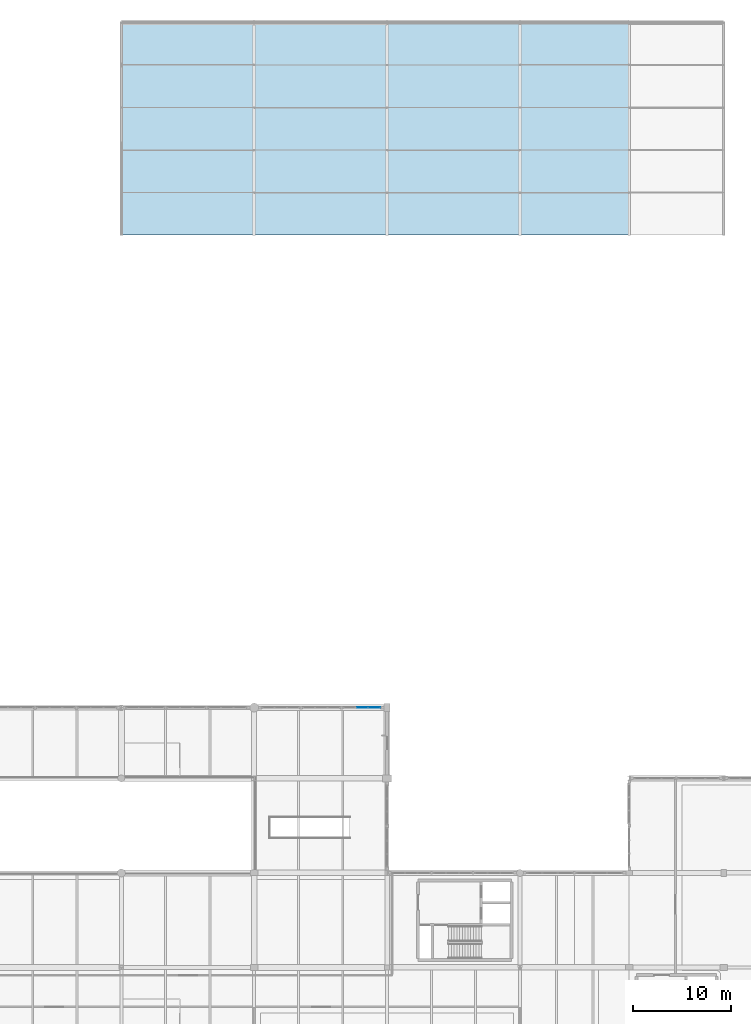
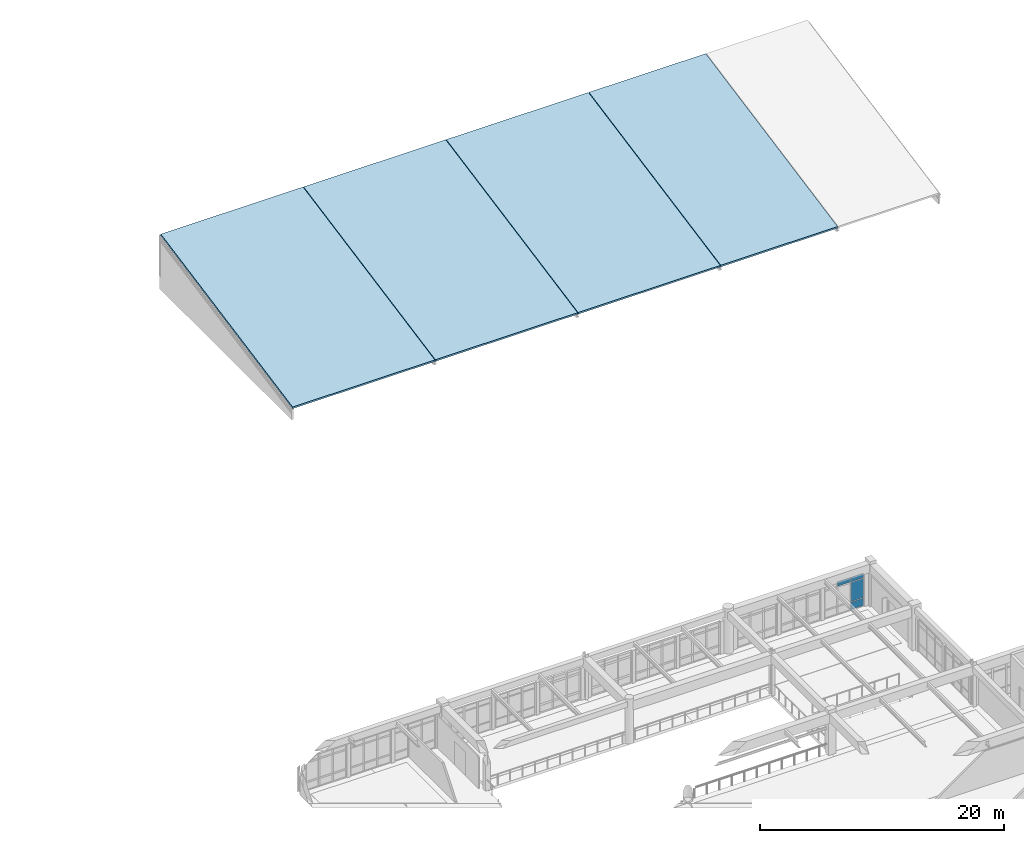
# One storey, part 56 of 80: 4 plates, 4 slabs, 5 elements without a shape of their own.
"""IFC4 building model written with IfcOpenShell, lengths in metres."""

from ifc_helpers import new_model, si_unit, direction, frame, origin, origin_2d, place, context, subcontext, project, spatial, polyline, rectangle, outline, extrude, material, layer, layer_set, type_object, element, aggregate, save


model = new_model("IFC4")

# Units and contexts
model_context = context("Model", 3, precision=1e-05, world=origin(), true_north=direction((0.0, 1.0)))
body_context = subcontext(model_context, "Body", "Model", "MODEL_VIEW")
ifc_project = project(units=[si_unit("LENGTHUNIT", "METRE"), si_unit("AREAUNIT", "SQUARE_METRE"), si_unit("VOLUMEUNIT", "CUBIC_METRE"), si_unit("PLANEANGLEUNIT", "RADIAN"), si_unit("MASSUNIT", "GRAM", prefix="KILO")], contexts=[model_context])

# Site, building, storey
site_placement = place(None, origin())
site = spatial("IfcSite", under=ifc_project, at=site_placement, CompositionType="ELEMENT")
building_placement = place(site_placement, origin())
building = spatial("IfcBuilding", under=site, at=building_placement, Name="Fikremerkos Civic Library", CompositionType="ELEMENT")
storey_placement = place(building_placement, frame((0.0, 0.0, 9.89990234375)))
storey = spatial("IfcBuildingStorey", under=building, at=storey_placement, Name="L02", CompositionType="ELEMENT", Elevation=9.89990234375)

# Curtain wall, plates
ifc_material_1 = material(Name="Anodized aluminium Frame", Category="aluminium")
ifc_layer_1 = layer(ifc_material_1, 0.159912109375, Name="Anodized aluminium Frame")
ifc_layer_set_1 = layer_set([ifc_layer_1], Name="Anodized aluminium Frame")
curtain_wall_type = type_object("IfcCurtainWallType", Name="Unitised curtain wall CW-03 4100x3600", PredefinedType="USERDEFINED", material=ifc_layer_set_1)
curtain_wall_placement = place(storey_placement, origin())
curtain_wall = element("IfcCurtainWall", 1, at=curtain_wall_placement, inside=storey, type_object=curtain_wall_type, Name="Unitised curtain wall CW-03 L02 #165", ObjectType="UNITISED CURTAIN WALL", PredefinedType="USERDEFINED")
ifc_material_2 = material(Name="Insulated aluminium spandrel", Category="aluminium")
ifc_layer_2 = layer(ifc_material_2, 0.044921875, Name="Insulated aluminium spandrel")
ifc_layer_set_2 = layer_set([ifc_layer_2], Name="Insulated aluminium spandrel")
plate_type = type_object("IfcPlateType", Name="Curtain spandrel panel CSP-01 45", PredefinedType="CURTAIN_PANEL", material=ifc_layer_set_2)
plate_1_placement = place(storey_placement, frame((97.64306640625, 48.0, 2.8427734375), z_axis=(0.0, 0.0, 1.0), x_axis=(1.0, 0.0, 0.0)))
plate_1 = element("IfcPlate", 2, at=plate_1_placement, type_object=plate_type, Name="CW-03 panel 2.3", PredefinedType="CURTAIN_PANEL", context=body_context, shape_type="SweptSolid", body=[
    extrude(rectangle(XDim=1.212646484375, YDim=0.044921875, at=origin_2d()), origin(), (0.0, 0.0, 1.0), 0.452392578125),
])
plate_2_placement = place(storey_placement, frame((98.900634765625, 48.0, 0.065185546875), z_axis=(0.0, 0.0, 1.0), x_axis=(1.0, 0.0, 0.0)))
plate_2 = element("IfcPlate", 3, at=plate_2_placement, type_object=plate_type, Name="CW-03 panel 3.1", PredefinedType="CURTAIN_PANEL", context=body_context, shape_type="SweptSolid", body=[
    extrude(rectangle(XDim=1.1826171875, YDim=0.044921875, at=origin_2d()), origin(), (0.0, 0.0, 1.0), 0.75244140625),
])
plate_3_placement = place(storey_placement, frame((98.900634765625, 48.0, 0.882568359375), z_axis=(0.0, 0.0, 1.0), x_axis=(1.0, 0.0, 0.0)))
plate_3 = element("IfcPlate", 4, at=plate_3_placement, type_object=plate_type, Name="CW-03 panel 3.2", PredefinedType="CURTAIN_PANEL", context=body_context, shape_type="SweptSolid", body=[
    extrude(rectangle(XDim=1.1826171875, YDim=0.044921875, at=origin_2d()), origin(), (0.0, 0.0, 1.0), 1.89501953125),
])
plate_4_placement = place(storey_placement, frame((98.900634765625, 48.0, 2.8427734375), z_axis=(0.0, 0.0, 1.0), x_axis=(1.0, 0.0, 0.0)))
plate_4 = element("IfcPlate", 5, at=plate_4_placement, type_object=plate_type, Name="CW-03 panel 3.3", PredefinedType="CURTAIN_PANEL", context=body_context, shape_type="SweptSolid", body=[
    extrude(rectangle(XDim=1.1826171875, YDim=0.044921875, at=origin_2d()), origin(), (0.0, 0.0, 1.0), 0.452392578125),
])
aggregate(curtain_wall, [plate_1, plate_2, plate_3, plate_4])

# Roof, slab
ifc_material_3 = material(Name="Concrete C40/50", Category="concrete")
ifc_layer_3 = layer(ifc_material_3, 0.199951171875, Name="Concrete C40/50")
ifc_layer_set_3 = layer_set([ifc_layer_3], Name="Concrete C40/50")
roof_type = type_object("IfcRoofType", Name="Children pavilion north-light shed roof RF-SH", PredefinedType="SHED_ROOF", material=ifc_layer_set_3)
roof_1_placement = place(storey_placement, origin())
roof_1 = element("IfcRoof", 6, at=roof_1_placement, inside=storey, type_object=roof_type, Name="Children pavilion north-light shed roof #1", PredefinedType="SHED_ROOF")
ifc_layer_4 = layer(ifc_material_3, 0.199951171875, Name="Concrete C40/50")
ifc_layer_set_4 = layer_set([ifc_layer_4], Name="Concrete C40/50")
slab_type = type_object("IfcSlabType", Name="Wing roof slab WRS-05 200", PredefinedType="ROOF", material=ifc_layer_set_4)
slab_1_placement = place(storey_placement, frame((73.219970703125, 96.0, 0.0), z_axis=(0.0, -0.190813234722, 0.981626359393), x_axis=(1.0, 0.0, 0.0)))
slab_1 = element("IfcSlab", 7, at=slab_1_placement, type_object=slab_type, Name="Wing roof slab WRS-05 children pavilion bay 1", PredefinedType="ROOF", context=body_context, shape_type="SweptSolid", body=[
    extrude(outline(polyline([(0.0, 0.0), (13.4599609375, 0.0), (13.4599609375, 22.004398567303454), (0.0, 22.004398567303454), (0.0, 0.0)])), origin(), (0.0, 0.0, -1.0), 0.199951171875),
])
aggregate(roof_1, [slab_1])

roof_2_placement = place(storey_placement, origin())
roof_2 = element("IfcRoof", 8, at=roof_2_placement, inside=storey, type_object=roof_type, Name="Children pavilion north-light shed roof #2", PredefinedType="SHED_ROOF")
slab_2_placement = place(storey_placement, frame((86.719970703125, 96.0, 0.0), z_axis=(0.0, -0.190813234722, 0.981626359393), x_axis=(1.0, 0.0, 0.0)))
slab_2 = element("IfcSlab", 9, at=slab_2_placement, type_object=slab_type, Name="Wing roof slab WRS-05 children pavilion bay 2", PredefinedType="ROOF", context=body_context, shape_type="SweptSolid", body=[
    extrude(outline(polyline([(0.0, 0.0), (13.4599609375, 0.0), (13.4599609375, 22.004398567303454), (0.0, 22.004398567303454), (0.0, 0.0)])), origin(), (0.0, 0.0, -1.0), 0.199951171875),
])
aggregate(roof_2, [slab_2])

roof_3_placement = place(storey_placement, origin())
roof_3 = element("IfcRoof", 10, at=roof_3_placement, inside=storey, type_object=roof_type, Name="Children pavilion north-light shed roof #3", PredefinedType="SHED_ROOF")
slab_3_placement = place(storey_placement, frame((100.219970703125, 96.0, 0.0), z_axis=(0.0, -0.190813234722, 0.981626359393), x_axis=(1.0, 0.0, 0.0)))
slab_3 = element("IfcSlab", 11, at=slab_3_placement, type_object=slab_type, Name="Wing roof slab WRS-05 children pavilion bay 3", PredefinedType="ROOF", context=body_context, shape_type="SweptSolid", body=[
    extrude(outline(polyline([(0.0, 0.0), (13.4599609375, 0.0), (13.4599609375, 22.004398567303454), (0.0, 22.004398567303454), (0.0, 0.0)])), origin(), (0.0, 0.0, -1.0), 0.199951171875),
])
aggregate(roof_3, [slab_3])

roof_4_placement = place(storey_placement, origin())
roof_4 = element("IfcRoof", 12, at=roof_4_placement, inside=storey, type_object=roof_type, Name="Children pavilion north-light shed roof #4", PredefinedType="SHED_ROOF")
slab_4_placement = place(storey_placement, frame((113.719970703125, 96.0, 0.0), z_axis=(0.0, -0.190813234722, 0.981626359393), x_axis=(1.0, 0.0, 0.0)))
slab_4 = element("IfcSlab", 13, at=slab_4_placement, type_object=slab_type, Name="Wing roof slab WRS-05 children pavilion bay 4", PredefinedType="ROOF", context=body_context, shape_type="SweptSolid", body=[
    extrude(outline(polyline([(0.0, 0.0), (11.06005859375, 0.0), (11.06005859375, 22.004398567303454), (0.0, 22.004398567303454), (0.0, 0.0)])), origin(), (0.0, 0.0, -1.0), 0.199951171875),
])
aggregate(roof_4, [slab_4])

save(model, "model.ifc")
